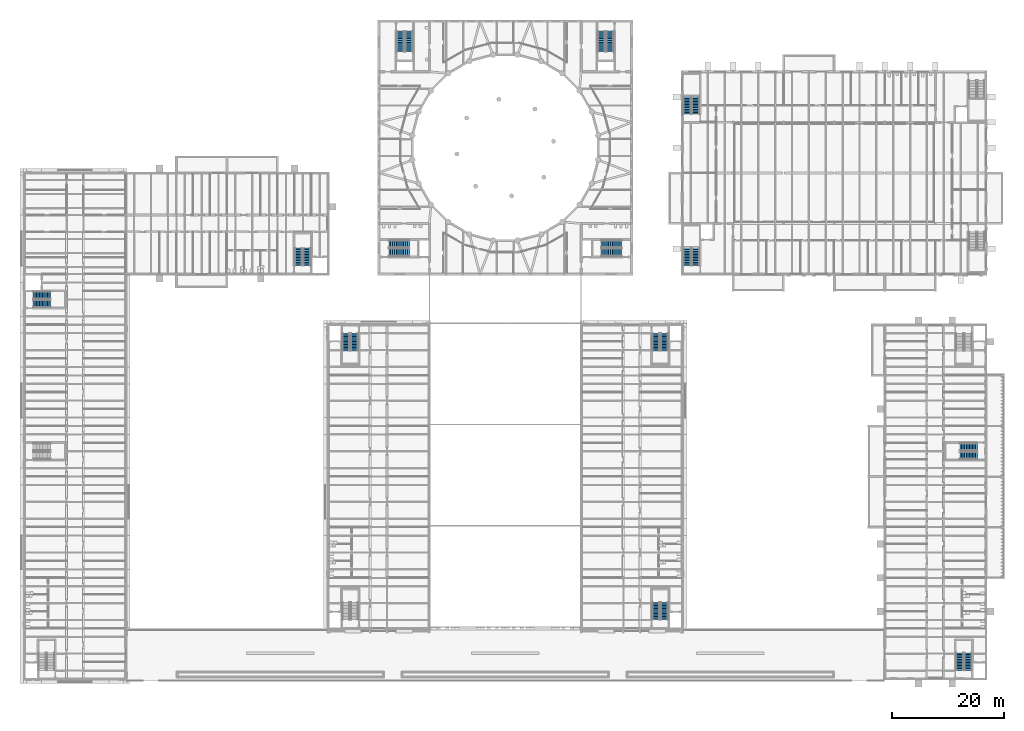
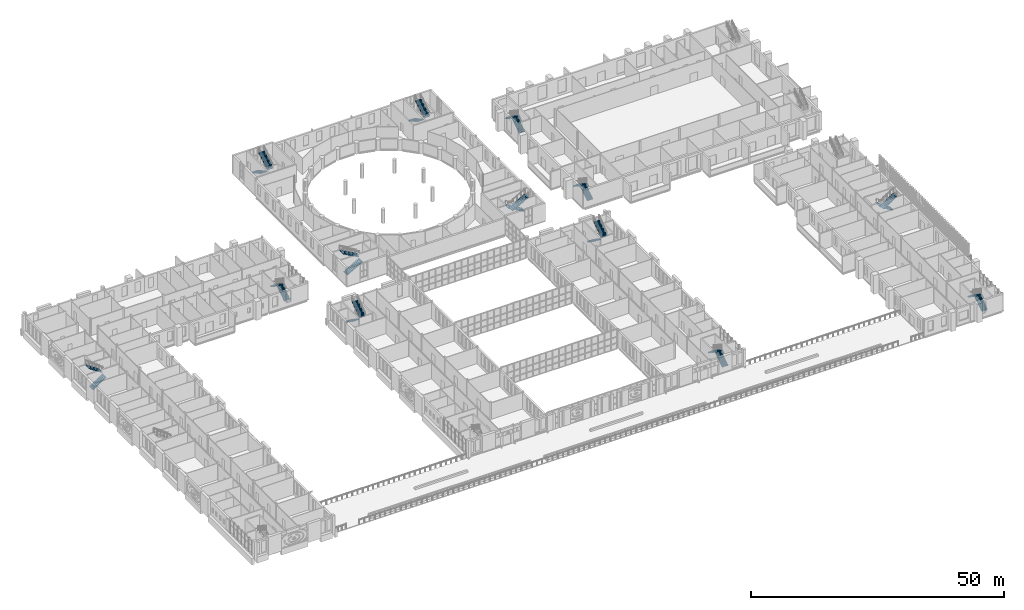
# One storey, part 95 of 134: 26 stair flights, 13 elements without a shape of their own.
"""IFC4 building model written with IfcOpenShell, lengths in metres."""

from ifc_helpers import new_model, si_unit, direction, frame, origin, place, context, subcontext, project, spatial, polyline, outline, extrude, material, type_object, element, aggregate, save


model = new_model("IFC4")

# Units and contexts
model_context = context("Model", 3, precision=1e-05, world=origin(), true_north=direction((0.0, 1.0)))
body_context = subcontext(model_context, "Body", "Model", "MODEL_VIEW")
ifc_project = project(units=[si_unit("LENGTHUNIT", "METRE"), si_unit("AREAUNIT", "SQUARE_METRE"), si_unit("VOLUMEUNIT", "CUBIC_METRE"), si_unit("PLANEANGLEUNIT", "RADIAN"), si_unit("MASSUNIT", "GRAM", prefix="KILO")], contexts=[model_context])

# Site, building, storey
site_placement = place(None, origin())
site = spatial("IfcSite", under=ifc_project, at=site_placement, CompositionType="ELEMENT")
building_placement = place(site_placement, origin())
building = spatial("IfcBuilding", under=site, at=building_placement, Name="Golden Quay Civic Hall", CompositionType="ELEMENT")
storey_placement = place(building_placement, frame((0.0, 0.0, 5.39990234375)))
storey = spatial("IfcBuildingStorey", under=building, at=storey_placement, Name="L01", CompositionType="ELEMENT", Elevation=5.39990234375)

# Stair, stair flights
ifc_material_1 = material(Name="Concrete C40/50", Category="concrete")
stair_type_1 = type_object("IfcStairType", Name="Concrete half-turn stair 24 risers", PredefinedType="HALF_TURN_STAIR", material=ifc_material_1)
stair_1_placement = place(storey_placement, origin())
stair_1 = element("IfcStair", 1, at=stair_1_placement, inside=storey, type_object=stair_type_1, Name="L01 Protected Exit Stair LB-W", PredefinedType="HALF_TURN_STAIR")
ifc_material_2 = material(Name="Concrete C40/50", Category="concrete")
stair_flight_type_1 = type_object("IfcStairFlightType", Name="Concrete stair flight 1350", PredefinedType="STRAIGHT", material=ifc_material_2)
stair_flight_1_placement = place(storey_placement, frame((119.375, 64.550048828125, 0.0), z_axis=(0.0, 0.0, 1.0), x_axis=(0.0, 1.0, 0.0)))
stair_flight_1 = element("IfcStairFlight", 2, at=stair_flight_1_placement, type_object=stair_flight_type_1, Name="LB-STW flight 1", NumberOfRisers=12, NumberOfTreads=11, PredefinedType="STRAIGHT", RiserHeight=0.1875, TreadLength=0.28, context=body_context, shape_type="SweptSolid", body=[
    extrude(outline(polyline([(0.0, 0.0), (0.0, 0.1875), (0.280029296875, 0.1875), (0.280029296875, 0.375), (0.56005859375, 0.375), (0.56005859375, 0.5625), (0.840087890625, 0.5625), (0.840087890625, 0.75), (1.1201171875, 0.75), (1.1201171875, 0.9375), (1.39990234375, 0.9375), (1.39990234375, 1.125), (1.679931640625, 1.125), (1.679931640625, 1.3125), (1.9599609375, 1.3125), (1.9599609375, 1.5), (2.239990234375, 1.5), (2.239990234375, 1.6875), (2.52001953125, 1.6875), (2.52001953125, 1.875), (2.800048828125, 1.875), (2.800048828125, 2.0625), (3.080078125, 2.0625), (3.080078125, 2.25), (3.080078125, 1.882080078125), (0.26953125, 0.0), (0.0, 0.0)])), frame((0.0, 0.675048828125, 0.0), z_axis=(0.0, -1.0, 0.0), x_axis=(1.0, 0.0, 0.0)), (0.0, 0.0, 1.0), 1.35),
])
stair_flight_2_placement = place(storey_placement, frame((117.875, 67.6298828125, 2.25), z_axis=(0.0, 0.0, 1.0), x_axis=(0.0, -1.0, 0.0)))
stair_flight_2 = element("IfcStairFlight", 3, at=stair_flight_2_placement, type_object=stair_flight_type_1, Name="LB-STW flight 2", NumberOfRisers=12, NumberOfTreads=11, PredefinedType="STRAIGHT", RiserHeight=0.1875, TreadLength=0.28, context=body_context, shape_type="SweptSolid", body=[
    extrude(outline(polyline([(0.0, 0.0), (0.0, 0.1875), (0.280029296875, 0.1875), (0.280029296875, 0.375), (0.56005859375, 0.375), (0.56005859375, 0.5625), (0.840087890625, 0.5625), (0.840087890625, 0.75), (1.1201171875, 0.75), (1.1201171875, 0.9375), (1.39990234375, 0.9375), (1.39990234375, 1.125), (1.679931640625, 1.125), (1.679931640625, 1.3125), (1.9599609375, 1.3125), (1.9599609375, 1.5), (2.239990234375, 1.5), (2.239990234375, 1.6875), (2.52001953125, 1.6875), (2.52001953125, 1.875), (2.800048828125, 1.875), (2.800048828125, 2.0625), (3.080078125, 2.0625), (3.080078125, 2.25), (3.080078125, 1.882080078125), (0.26953125, 0.0), (0.0, 0.0)])), frame((0.0, 0.675048828125, 0.0), z_axis=(0.0, -1.0, 0.0), x_axis=(1.0, 0.0, 0.0)), (0.0, 0.0, 1.0), 1.35),
])
aggregate(stair_1, [stair_flight_1, stair_flight_2])

stair_2_placement = place(storey_placement, origin())
stair_2 = element("IfcStair", 4, at=stair_2_placement, inside=storey, type_object=stair_type_1, Name="L01 Protected Exit Stair LB-N", PredefinedType="HALF_TURN_STAIR")
stair_flight_3_placement = place(storey_placement, frame((119.375, 91.47509765625, 0.0), z_axis=(0.0, 0.0, 1.0), x_axis=(0.0, 1.0, 0.0)))
stair_flight_3 = element("IfcStairFlight", 5, at=stair_flight_3_placement, type_object=stair_flight_type_1, Name="LB-STN flight 1", NumberOfRisers=12, NumberOfTreads=11, PredefinedType="STRAIGHT", RiserHeight=0.1875, TreadLength=0.28, context=body_context, shape_type="SweptSolid", body=[
    extrude(outline(polyline([(0.0, 0.0), (0.0, 0.1875), (0.280029296875, 0.1875), (0.280029296875, 0.375), (0.56005859375, 0.375), (0.56005859375, 0.5625), (0.840087890625, 0.5625), (0.840087890625, 0.75), (1.1201171875, 0.75), (1.1201171875, 0.9375), (1.39990234375, 0.9375), (1.39990234375, 1.125), (1.679931640625, 1.125), (1.679931640625, 1.3125), (1.9599609375, 1.3125), (1.9599609375, 1.5), (2.239990234375, 1.5), (2.239990234375, 1.6875), (2.52001953125, 1.6875), (2.52001953125, 1.875), (2.800048828125, 1.875), (2.800048828125, 2.0625), (3.080078125, 2.0625), (3.080078125, 2.25), (3.080078125, 1.882080078125), (0.26953125, 0.0), (0.0, 0.0)])), frame((0.0, 0.675048828125, 0.0), z_axis=(0.0, -1.0, 0.0), x_axis=(1.0, 0.0, 0.0)), (0.0, 0.0, 1.0), 1.35),
])
stair_flight_4_placement = place(storey_placement, frame((117.875, 94.554931640625, 2.25), z_axis=(0.0, 0.0, 1.0), x_axis=(0.0, -1.0, 0.0)))
stair_flight_4 = element("IfcStairFlight", 6, at=stair_flight_4_placement, type_object=stair_flight_type_1, Name="LB-STN flight 2", NumberOfRisers=12, NumberOfTreads=11, PredefinedType="STRAIGHT", RiserHeight=0.1875, TreadLength=0.28, context=body_context, shape_type="SweptSolid", body=[
    extrude(outline(polyline([(0.0, 0.0), (0.0, 0.1875), (0.280029296875, 0.1875), (0.280029296875, 0.375), (0.56005859375, 0.375), (0.56005859375, 0.5625), (0.840087890625, 0.5625), (0.840087890625, 0.75), (1.1201171875, 0.75), (1.1201171875, 0.9375), (1.39990234375, 0.9375), (1.39990234375, 1.125), (1.679931640625, 1.125), (1.679931640625, 1.3125), (1.9599609375, 1.3125), (1.9599609375, 1.5), (2.239990234375, 1.5), (2.239990234375, 1.6875), (2.52001953125, 1.6875), (2.52001953125, 1.875), (2.800048828125, 1.875), (2.800048828125, 2.0625), (3.080078125, 2.0625), (3.080078125, 2.25), (3.080078125, 1.882080078125), (0.26953125, 0.0), (0.0, 0.0)])), frame((0.0, 0.675048828125, 0.0), z_axis=(0.0, -1.0, 0.0), x_axis=(1.0, 0.0, 0.0)), (0.0, 0.0, 1.0), 1.35),
])
aggregate(stair_2, [stair_flight_3, stair_flight_4])

ifc_material_3 = material(Name="Concrete C35/45", Category="concrete")
stair_type_2 = type_object("IfcStairType", Name="Concrete stair 1350 wide 24 risers of 187.5", PredefinedType="HALF_TURN_STAIR", material=ifc_material_3)
stair_3_placement = place(storey_placement, origin())
stair_3 = element("IfcStair", 7, at=stair_3_placement, inside=storey, type_object=stair_type_2, Name="L01 Stair WO-N", PredefinedType="HALF_TURN_STAIR")
ifc_material_4 = material(Name="Concrete C35/45", Category="concrete")
stair_flight_type_2 = type_object("IfcStairFlightType", Name="Concrete stair flight 1350 wide 12 risers of 187.5", PredefinedType="STRAIGHT", material=ifc_material_4)
stair_flight_5_placement = place(storey_placement, frame((1.550048828125, 57.75, 0.0), z_axis=(0.0, 0.0, 1.0), x_axis=(1.0, 0.0, 0.0)))
stair_flight_5 = element("IfcStairFlight", 8, at=stair_flight_5_placement, type_object=stair_flight_type_2, Name="WO-N flight 1", NumberOfRisers=12, NumberOfTreads=11, PredefinedType="STRAIGHT", RiserHeight=0.1875, TreadLength=0.28, context=body_context, shape_type="SweptSolid", body=[
    extrude(outline(polyline([(0.0, 0.0), (0.0, 0.1875), (0.280029296875, 0.1875), (0.280029296875, 0.375), (0.56005859375, 0.375), (0.56005859375, 0.5625), (0.840087890625, 0.5625), (0.840087890625, 0.75), (1.1201171875, 0.75), (1.1201171875, 0.9375), (1.39990234375, 0.9375), (1.39990234375, 1.125), (1.679931640625, 1.125), (1.679931640625, 1.3125), (1.9599609375, 1.3125), (1.9599609375, 1.5), (2.239990234375, 1.5), (2.239990234375, 1.6875), (2.52001953125, 1.6875), (2.52001953125, 1.875), (2.800048828125, 1.875), (2.800048828125, 2.0625), (3.080078125, 2.0625), (3.080078125, 2.25), (3.080078125, 1.882080078125), (0.26953125, 0.0), (0.0, 0.0)])), frame((0.0, 0.675048828125, 0.0), z_axis=(0.0, -1.0, 0.0), x_axis=(1.0, 0.0, 0.0)), (0.0, 0.0, 1.0), 1.35),
])
stair_flight_6_placement = place(storey_placement, frame((4.6298828125, 59.25, 2.25), z_axis=(0.0, 0.0, 1.0), x_axis=(-1.0, 0.0, 0.0)))
stair_flight_6 = element("IfcStairFlight", 9, at=stair_flight_6_placement, type_object=stair_flight_type_2, Name="WO-N flight 2", NumberOfRisers=12, NumberOfTreads=11, PredefinedType="STRAIGHT", RiserHeight=0.1875, TreadLength=0.28, context=body_context, shape_type="SweptSolid", body=[
    extrude(outline(polyline([(0.0, 0.0), (0.0, 0.1875), (0.280029296875, 0.1875), (0.280029296875, 0.375), (0.56005859375, 0.375), (0.56005859375, 0.5625), (0.840087890625, 0.5625), (0.840087890625, 0.75), (1.1201171875, 0.75), (1.1201171875, 0.9375), (1.39990234375, 0.9375), (1.39990234375, 1.125), (1.679931640625, 1.125), (1.679931640625, 1.3125), (1.9599609375, 1.3125), (1.9599609375, 1.5), (2.239990234375, 1.5), (2.239990234375, 1.6875), (2.52001953125, 1.6875), (2.52001953125, 1.875), (2.800048828125, 1.875), (2.800048828125, 2.0625), (3.080078125, 2.0625), (3.080078125, 2.25), (3.080078125, 1.882080078125), (0.26953125, 0.0), (0.0, 0.0)])), frame((0.0, 0.675048828125, 0.0), z_axis=(0.0, -1.0, 0.0), x_axis=(1.0, 0.0, 0.0)), (0.0, 0.0, 1.0), 1.35),
])
aggregate(stair_3, [stair_flight_5, stair_flight_6])

stair_4_placement = place(storey_placement, origin())
stair_4 = element("IfcStair", 10, at=stair_4_placement, inside=storey, type_object=stair_type_2, Name="L01 Stair NW-E", PredefinedType="HALF_TURN_STAIR")
stair_flight_7_placement = place(storey_placement, frame((50.25, 64.550048828125, 0.0), z_axis=(0.0, 0.0, 1.0), x_axis=(0.0, 1.0, 0.0)))
stair_flight_7 = element("IfcStairFlight", 11, at=stair_flight_7_placement, type_object=stair_flight_type_2, Name="NW-E flight 1", NumberOfRisers=12, NumberOfTreads=11, PredefinedType="STRAIGHT", RiserHeight=0.1875, TreadLength=0.28, context=body_context, shape_type="SweptSolid", body=[
    extrude(outline(polyline([(0.0, 0.0), (0.0, 0.1875), (0.280029296875, 0.1875), (0.280029296875, 0.375), (0.56005859375, 0.375), (0.56005859375, 0.5625), (0.840087890625, 0.5625), (0.840087890625, 0.75), (1.1201171875, 0.75), (1.1201171875, 0.9375), (1.39990234375, 0.9375), (1.39990234375, 1.125), (1.679931640625, 1.125), (1.679931640625, 1.3125), (1.9599609375, 1.3125), (1.9599609375, 1.5), (2.239990234375, 1.5), (2.239990234375, 1.6875), (2.52001953125, 1.6875), (2.52001953125, 1.875), (2.800048828125, 1.875), (2.800048828125, 2.0625), (3.080078125, 2.0625), (3.080078125, 2.25), (3.080078125, 1.882080078125), (0.26953125, 0.0), (0.0, 0.0)])), frame((0.0, 0.675048828125, 0.0), z_axis=(0.0, -1.0, 0.0), x_axis=(1.0, 0.0, 0.0)), (0.0, 0.0, 1.0), 1.35),
])
stair_flight_8_placement = place(storey_placement, frame((48.75, 67.6298828125, 2.25), z_axis=(0.0, 0.0, 1.0), x_axis=(0.0, -1.0, 0.0)))
stair_flight_8 = element("IfcStairFlight", 12, at=stair_flight_8_placement, type_object=stair_flight_type_2, Name="NW-E flight 2", NumberOfRisers=12, NumberOfTreads=11, PredefinedType="STRAIGHT", RiserHeight=0.1875, TreadLength=0.28, context=body_context, shape_type="SweptSolid", body=[
    extrude(outline(polyline([(0.0, 0.0), (0.0, 0.1875), (0.280029296875, 0.1875), (0.280029296875, 0.375), (0.56005859375, 0.375), (0.56005859375, 0.5625), (0.840087890625, 0.5625), (0.840087890625, 0.75), (1.1201171875, 0.75), (1.1201171875, 0.9375), (1.39990234375, 0.9375), (1.39990234375, 1.125), (1.679931640625, 1.125), (1.679931640625, 1.3125), (1.9599609375, 1.3125), (1.9599609375, 1.5), (2.239990234375, 1.5), (2.239990234375, 1.6875), (2.52001953125, 1.6875), (2.52001953125, 1.875), (2.800048828125, 1.875), (2.800048828125, 2.0625), (3.080078125, 2.0625), (3.080078125, 2.25), (3.080078125, 1.882080078125), (0.26953125, 0.0), (0.0, 0.0)])), frame((0.0, 0.675048828125, 0.0), z_axis=(0.0, -1.0, 0.0), x_axis=(1.0, 0.0, 0.0)), (0.0, 0.0, 1.0), 1.35),
])
aggregate(stair_4, [stair_flight_7, stair_flight_8])

stair_5_placement = place(storey_placement, origin())
stair_5 = element("IfcStair", 13, at=stair_5_placement, inside=storey, type_object=stair_type_2, Name="L01 Stair WM-N", PredefinedType="HALF_TURN_STAIR")
stair_flight_9_placement = place(storey_placement, frame((57.175048828125, 52.449951171875, 0.0), z_axis=(0.0, 0.0, 1.0), x_axis=(0.0, -1.0, 0.0)))
stair_flight_9 = element("IfcStairFlight", 14, at=stair_flight_9_placement, type_object=stair_flight_type_2, Name="WM-N flight 1", NumberOfRisers=12, NumberOfTreads=11, PredefinedType="STRAIGHT", RiserHeight=0.1875, TreadLength=0.28, context=body_context, shape_type="SweptSolid", body=[
    extrude(outline(polyline([(0.0, 0.0), (0.0, 0.1875), (0.280029296875, 0.1875), (0.280029296875, 0.375), (0.56005859375, 0.375), (0.56005859375, 0.5625), (0.840087890625, 0.5625), (0.840087890625, 0.75), (1.1201171875, 0.75), (1.1201171875, 0.9375), (1.39990234375, 0.9375), (1.39990234375, 1.125), (1.679931640625, 1.125), (1.679931640625, 1.3125), (1.9599609375, 1.3125), (1.9599609375, 1.5), (2.239990234375, 1.5), (2.239990234375, 1.6875), (2.52001953125, 1.6875), (2.52001953125, 1.875), (2.800048828125, 1.875), (2.800048828125, 2.0625), (3.080078125, 2.0625), (3.080078125, 2.25), (3.080078125, 1.882080078125), (0.26953125, 0.0), (0.0, 0.0)])), frame((0.0, 0.675048828125, 0.0), z_axis=(0.0, -1.0, 0.0), x_axis=(1.0, 0.0, 0.0)), (0.0, 0.0, 1.0), 1.35),
])
stair_flight_10_placement = place(storey_placement, frame((58.675048828125, 49.3701171875, 2.25), z_axis=(0.0, 0.0, 1.0), x_axis=(0.0, 1.0, 0.0)))
stair_flight_10 = element("IfcStairFlight", 15, at=stair_flight_10_placement, type_object=stair_flight_type_2, Name="WM-N flight 2", NumberOfRisers=12, NumberOfTreads=11, PredefinedType="STRAIGHT", RiserHeight=0.1875, TreadLength=0.28, context=body_context, shape_type="SweptSolid", body=[
    extrude(outline(polyline([(0.0, 0.0), (0.0, 0.1875), (0.280029296875, 0.1875), (0.280029296875, 0.375), (0.56005859375, 0.375), (0.56005859375, 0.5625), (0.840087890625, 0.5625), (0.840087890625, 0.75), (1.1201171875, 0.75), (1.1201171875, 0.9375), (1.39990234375, 0.9375), (1.39990234375, 1.125), (1.679931640625, 1.125), (1.679931640625, 1.3125), (1.9599609375, 1.3125), (1.9599609375, 1.5), (2.239990234375, 1.5), (2.239990234375, 1.6875), (2.52001953125, 1.6875), (2.52001953125, 1.875), (2.800048828125, 1.875), (2.800048828125, 2.0625), (3.080078125, 2.0625), (3.080078125, 2.25), (3.080078125, 1.882080078125), (0.26953125, 0.0), (0.0, 0.0)])), frame((0.0, 0.675048828125, 0.0), z_axis=(0.0, -1.0, 0.0), x_axis=(1.0, 0.0, 0.0)), (0.0, 0.0, 1.0), 1.35),
])
aggregate(stair_5, [stair_flight_9, stair_flight_10])

stair_6_placement = place(storey_placement, origin())
stair_6 = element("IfcStair", 16, at=stair_6_placement, inside=storey, type_object=stair_type_2, Name="L01 Stair EM-S", PredefinedType="HALF_TURN_STAIR")
stair_flight_11_placement = place(storey_placement, frame((113.824951171875, 1.550048828125, 0.0), z_axis=(0.0, 0.0, 1.0), x_axis=(0.0, 1.0, 0.0)))
stair_flight_11 = element("IfcStairFlight", 17, at=stair_flight_11_placement, type_object=stair_flight_type_2, Name="EM-S flight 1", NumberOfRisers=12, NumberOfTreads=11, PredefinedType="STRAIGHT", RiserHeight=0.1875, TreadLength=0.28, context=body_context, shape_type="SweptSolid", body=[
    extrude(outline(polyline([(0.0, 0.0), (0.0, 0.1875), (0.280029296875, 0.1875), (0.280029296875, 0.375), (0.56005859375, 0.375), (0.56005859375, 0.5625), (0.840087890625, 0.5625), (0.840087890625, 0.75), (1.1201171875, 0.75), (1.1201171875, 0.9375), (1.39990234375, 0.9375), (1.39990234375, 1.125), (1.679931640625, 1.125), (1.679931640625, 1.3125), (1.9599609375, 1.3125), (1.9599609375, 1.5), (2.239990234375, 1.5), (2.239990234375, 1.6875), (2.52001953125, 1.6875), (2.52001953125, 1.875), (2.800048828125, 1.875), (2.800048828125, 2.0625), (3.080078125, 2.0625), (3.080078125, 2.25), (3.080078125, 1.882080078125), (0.26953125, 0.0), (0.0, 0.0)])), frame((0.0, 0.675048828125, 0.0), z_axis=(0.0, -1.0, 0.0), x_axis=(1.0, 0.0, 0.0)), (0.0, 0.0, 1.0), 1.35),
])
stair_flight_12_placement = place(storey_placement, frame((112.324951171875, 4.6298828125, 2.25), z_axis=(0.0, 0.0, 1.0), x_axis=(0.0, -1.0, 0.0)))
stair_flight_12 = element("IfcStairFlight", 18, at=stair_flight_12_placement, type_object=stair_flight_type_2, Name="EM-S flight 2", NumberOfRisers=12, NumberOfTreads=11, PredefinedType="STRAIGHT", RiserHeight=0.1875, TreadLength=0.28, context=body_context, shape_type="SweptSolid", body=[
    extrude(outline(polyline([(0.0, 0.0), (0.0, 0.1875), (0.280029296875, 0.1875), (0.280029296875, 0.375), (0.56005859375, 0.375), (0.56005859375, 0.5625), (0.840087890625, 0.5625), (0.840087890625, 0.75), (1.1201171875, 0.75), (1.1201171875, 0.9375), (1.39990234375, 0.9375), (1.39990234375, 1.125), (1.679931640625, 1.125), (1.679931640625, 1.3125), (1.9599609375, 1.3125), (1.9599609375, 1.5), (2.239990234375, 1.5), (2.239990234375, 1.6875), (2.52001953125, 1.6875), (2.52001953125, 1.875), (2.800048828125, 1.875), (2.800048828125, 2.0625), (3.080078125, 2.0625), (3.080078125, 2.25), (3.080078125, 1.882080078125), (0.26953125, 0.0), (0.0, 0.0)])), frame((0.0, 0.675048828125, 0.0), z_axis=(0.0, -1.0, 0.0), x_axis=(1.0, 0.0, 0.0)), (0.0, 0.0, 1.0), 1.35),
])
aggregate(stair_6, [stair_flight_11, stair_flight_12])

stair_7_placement = place(storey_placement, origin())
stair_7 = element("IfcStair", 19, at=stair_7_placement, inside=storey, type_object=stair_type_2, Name="L01 Stair EM-N", PredefinedType="HALF_TURN_STAIR")
stair_flight_13_placement = place(storey_placement, frame((112.324951171875, 52.449951171875, 0.0), z_axis=(0.0, 0.0, 1.0), x_axis=(0.0, -1.0, 0.0)))
stair_flight_13 = element("IfcStairFlight", 20, at=stair_flight_13_placement, type_object=stair_flight_type_2, Name="EM-N flight 1", NumberOfRisers=12, NumberOfTreads=11, PredefinedType="STRAIGHT", RiserHeight=0.1875, TreadLength=0.28, context=body_context, shape_type="SweptSolid", body=[
    extrude(outline(polyline([(0.0, 0.0), (0.0, 0.1875), (0.280029296875, 0.1875), (0.280029296875, 0.375), (0.56005859375, 0.375), (0.56005859375, 0.5625), (0.840087890625, 0.5625), (0.840087890625, 0.75), (1.1201171875, 0.75), (1.1201171875, 0.9375), (1.39990234375, 0.9375), (1.39990234375, 1.125), (1.679931640625, 1.125), (1.679931640625, 1.3125), (1.9599609375, 1.3125), (1.9599609375, 1.5), (2.239990234375, 1.5), (2.239990234375, 1.6875), (2.52001953125, 1.6875), (2.52001953125, 1.875), (2.800048828125, 1.875), (2.800048828125, 2.0625), (3.080078125, 2.0625), (3.080078125, 2.25), (3.080078125, 1.882080078125), (0.26953125, 0.0), (0.0, 0.0)])), frame((0.0, 0.675048828125, 0.0), z_axis=(0.0, -1.0, 0.0), x_axis=(1.0, 0.0, 0.0)), (0.0, 0.0, 1.0), 1.35),
])
stair_flight_14_placement = place(storey_placement, frame((113.824951171875, 49.3701171875, 2.25), z_axis=(0.0, 0.0, 1.0), x_axis=(0.0, 1.0, 0.0)))
stair_flight_14 = element("IfcStairFlight", 21, at=stair_flight_14_placement, type_object=stair_flight_type_2, Name="EM-N flight 2", NumberOfRisers=12, NumberOfTreads=11, PredefinedType="STRAIGHT", RiserHeight=0.1875, TreadLength=0.28, context=body_context, shape_type="SweptSolid", body=[
    extrude(outline(polyline([(0.0, 0.0), (0.0, 0.1875), (0.280029296875, 0.1875), (0.280029296875, 0.375), (0.56005859375, 0.375), (0.56005859375, 0.5625), (0.840087890625, 0.5625), (0.840087890625, 0.75), (1.1201171875, 0.75), (1.1201171875, 0.9375), (1.39990234375, 0.9375), (1.39990234375, 1.125), (1.679931640625, 1.125), (1.679931640625, 1.3125), (1.9599609375, 1.3125), (1.9599609375, 1.5), (2.239990234375, 1.5), (2.239990234375, 1.6875), (2.52001953125, 1.6875), (2.52001953125, 1.875), (2.800048828125, 1.875), (2.800048828125, 2.0625), (3.080078125, 2.0625), (3.080078125, 2.25), (3.080078125, 1.882080078125), (0.26953125, 0.0), (0.0, 0.0)])), frame((0.0, 0.675048828125, 0.0), z_axis=(0.0, -1.0, 0.0), x_axis=(1.0, 0.0, 0.0)), (0.0, 0.0, 1.0), 1.35),
])
aggregate(stair_7, [stair_flight_13, stair_flight_14])

stair_8_placement = place(storey_placement, origin())
stair_8 = element("IfcStair", 22, at=stair_8_placement, inside=storey, type_object=stair_type_2, Name="L01 Stair EO-S", PredefinedType="HALF_TURN_STAIR")
stair_flight_15_placement = place(storey_placement, frame((167.824951171875, -7.449951171875, 0.0), z_axis=(0.0, 0.0, 1.0), x_axis=(0.0, 1.0, 0.0)))
stair_flight_15 = element("IfcStairFlight", 23, at=stair_flight_15_placement, type_object=stair_flight_type_2, Name="EO-S flight 1", NumberOfRisers=12, NumberOfTreads=11, PredefinedType="STRAIGHT", RiserHeight=0.1875, TreadLength=0.28, context=body_context, shape_type="SweptSolid", body=[
    extrude(outline(polyline([(0.0, 0.0), (0.0, 0.1875), (0.280029296875, 0.1875), (0.280029296875, 0.375), (0.56005859375, 0.375), (0.56005859375, 0.5625), (0.840087890625, 0.5625), (0.840087890625, 0.75), (1.1201171875, 0.75), (1.1201171875, 0.9375), (1.39990234375, 0.9375), (1.39990234375, 1.125), (1.679931640625, 1.125), (1.679931640625, 1.3125), (1.9599609375, 1.3125), (1.9599609375, 1.5), (2.239990234375, 1.5), (2.239990234375, 1.6875), (2.52001953125, 1.6875), (2.52001953125, 1.875), (2.800048828125, 1.875), (2.800048828125, 2.0625), (3.080078125, 2.0625), (3.080078125, 2.25), (3.080078125, 1.882080078125), (0.26953125, 0.0), (0.0, 0.0)])), frame((0.0, 0.675048828125, 0.0), z_axis=(0.0, -1.0, 0.0), x_axis=(1.0, 0.0, 0.0)), (0.0, 0.0, 1.0), 1.35),
])
stair_flight_16_placement = place(storey_placement, frame((166.324951171875, -4.3701171875, 2.25), z_axis=(0.0, 0.0, 1.0), x_axis=(0.0, -1.0, 0.0)))
stair_flight_16 = element("IfcStairFlight", 24, at=stair_flight_16_placement, type_object=stair_flight_type_2, Name="EO-S flight 2", NumberOfRisers=12, NumberOfTreads=11, PredefinedType="STRAIGHT", RiserHeight=0.1875, TreadLength=0.28, context=body_context, shape_type="SweptSolid", body=[
    extrude(outline(polyline([(0.0, 0.0), (0.0, 0.1875), (0.280029296875, 0.1875), (0.280029296875, 0.375), (0.56005859375, 0.375), (0.56005859375, 0.5625), (0.840087890625, 0.5625), (0.840087890625, 0.75), (1.1201171875, 0.75), (1.1201171875, 0.9375), (1.39990234375, 0.9375), (1.39990234375, 1.125), (1.679931640625, 1.125), (1.679931640625, 1.3125), (1.9599609375, 1.3125), (1.9599609375, 1.5), (2.239990234375, 1.5), (2.239990234375, 1.6875), (2.52001953125, 1.6875), (2.52001953125, 1.875), (2.800048828125, 1.875), (2.800048828125, 2.0625), (3.080078125, 2.0625), (3.080078125, 2.25), (3.080078125, 1.882080078125), (0.26953125, 0.0), (0.0, 0.0)])), frame((0.0, 0.675048828125, 0.0), z_axis=(0.0, -1.0, 0.0), x_axis=(1.0, 0.0, 0.0)), (0.0, 0.0, 1.0), 1.35),
])
aggregate(stair_8, [stair_flight_15, stair_flight_16])

stair_9_placement = place(storey_placement, origin())
stair_9 = element("IfcStair", 25, at=stair_9_placement, inside=storey, type_object=stair_type_2, Name="L01 Stair EO-M", PredefinedType="HALF_TURN_STAIR")
stair_flight_17_placement = place(storey_placement, frame((169.449951171875, 32.25, 0.0), z_axis=(0.0, 0.0, 1.0), x_axis=(-1.0, 0.0, 0.0)))
stair_flight_17 = element("IfcStairFlight", 26, at=stair_flight_17_placement, type_object=stair_flight_type_2, Name="EO-M flight 1", NumberOfRisers=12, NumberOfTreads=11, PredefinedType="STRAIGHT", RiserHeight=0.1875, TreadLength=0.28, context=body_context, shape_type="SweptSolid", body=[
    extrude(outline(polyline([(0.0, 0.0), (0.0, 0.1875), (0.280029296875, 0.1875), (0.280029296875, 0.375), (0.56005859375, 0.375), (0.56005859375, 0.5625), (0.840087890625, 0.5625), (0.840087890625, 0.75), (1.1201171875, 0.75), (1.1201171875, 0.9375), (1.39990234375, 0.9375), (1.39990234375, 1.125), (1.679931640625, 1.125), (1.679931640625, 1.3125), (1.9599609375, 1.3125), (1.9599609375, 1.5), (2.239990234375, 1.5), (2.239990234375, 1.6875), (2.52001953125, 1.6875), (2.52001953125, 1.875), (2.800048828125, 1.875), (2.800048828125, 2.0625), (3.080078125, 2.0625), (3.080078125, 2.25), (3.080078125, 1.882080078125), (0.26953125, 0.0), (0.0, 0.0)])), frame((0.0, 0.675048828125, 0.0), z_axis=(0.0, -1.0, 0.0), x_axis=(1.0, 0.0, 0.0)), (0.0, 0.0, 1.0), 1.35),
])
stair_flight_18_placement = place(storey_placement, frame((166.3701171875, 30.75, 2.25), z_axis=(0.0, 0.0, 1.0), x_axis=(1.0, 0.0, 0.0)))
stair_flight_18 = element("IfcStairFlight", 27, at=stair_flight_18_placement, type_object=stair_flight_type_2, Name="EO-M flight 2", NumberOfRisers=12, NumberOfTreads=11, PredefinedType="STRAIGHT", RiserHeight=0.1875, TreadLength=0.28, context=body_context, shape_type="SweptSolid", body=[
    extrude(outline(polyline([(0.0, 0.0), (0.0, 0.1875), (0.280029296875, 0.1875), (0.280029296875, 0.375), (0.56005859375, 0.375), (0.56005859375, 0.5625), (0.840087890625, 0.5625), (0.840087890625, 0.75), (1.1201171875, 0.75), (1.1201171875, 0.9375), (1.39990234375, 0.9375), (1.39990234375, 1.125), (1.679931640625, 1.125), (1.679931640625, 1.3125), (1.9599609375, 1.3125), (1.9599609375, 1.5), (2.239990234375, 1.5), (2.239990234375, 1.6875), (2.52001953125, 1.6875), (2.52001953125, 1.875), (2.800048828125, 1.875), (2.800048828125, 2.0625), (3.080078125, 2.0625), (3.080078125, 2.25), (3.080078125, 1.882080078125), (0.26953125, 0.0), (0.0, 0.0)])), frame((0.0, 0.675048828125, 0.0), z_axis=(0.0, -1.0, 0.0), x_axis=(1.0, 0.0, 0.0)), (0.0, 0.0, 1.0), 1.35),
])
aggregate(stair_9, [stair_flight_17, stair_flight_18])

ifc_material_5 = material(Name="Concrete C35/45", Category="concrete")
stair_type_3 = type_object("IfcStairType", Name="Reinforced concrete stair 1350", PredefinedType="HALF_TURN_STAIR", material=ifc_material_5)
stair_10_placement = place(storey_placement, origin())
stair_10 = element("IfcStair", 28, at=stair_10_placement, inside=storey, type_object=stair_type_3, Name="L01 Core stair SW", PredefinedType="HALF_TURN_STAIR")
ifc_material_6 = material(Name="Concrete C35/45", Category="concrete")
stair_flight_type_3 = type_object("IfcStairFlightType", Name="Reinforced concrete stair flight 1350", PredefinedType="STRAIGHT", material=ifc_material_6)
stair_flight_19_placement = place(storey_placement, frame((64.800048828125, 66.875, 0.0), z_axis=(0.0, 0.0, 1.0), x_axis=(1.0, 0.0, 0.0)))
stair_flight_19 = element("IfcStairFlight", 29, at=stair_flight_19_placement, type_object=stair_flight_type_3, Name="CB-SW flight 1", NumberOfRisers=12, NumberOfTreads=11, PredefinedType="STRAIGHT", RiserHeight=0.1875, TreadLength=0.33, context=body_context, shape_type="SweptSolid", body=[
    extrude(outline(polyline([(0.0, 0.0), (0.0, 0.1875), (0.330078125, 0.1875), (0.330078125, 0.375), (0.659912109375, 0.375), (0.659912109375, 0.5625), (0.989990234375, 0.5625), (0.989990234375, 0.75), (1.320068359375, 0.75), (1.320068359375, 0.9375), (1.64990234375, 0.9375), (1.64990234375, 1.125), (1.97998046875, 1.125), (1.97998046875, 1.3125), (2.31005859375, 1.3125), (2.31005859375, 1.5), (2.639892578125, 1.5), (2.639892578125, 1.6875), (2.969970703125, 1.6875), (2.969970703125, 1.875), (3.300048828125, 1.875), (3.300048828125, 2.0625), (3.6298828125, 2.0625), (3.6298828125, 2.25), (3.6298828125, 1.89013671875), (0.303466796875, 0.0), (0.0, 0.0)])), frame((0.0, 0.675048828125, 0.0), z_axis=(0.0, -1.0, 0.0), x_axis=(1.0, 0.0, 0.0)), (0.0, 0.0, 1.0), 1.35),
])
stair_flight_20_placement = place(storey_placement, frame((68.429931640625, 68.375, 2.25), z_axis=(0.0, 0.0, 1.0), x_axis=(-1.0, 0.0, 0.0)))
stair_flight_20 = element("IfcStairFlight", 30, at=stair_flight_20_placement, type_object=stair_flight_type_3, Name="CB-SW flight 2", NumberOfRisers=12, NumberOfTreads=11, PredefinedType="STRAIGHT", RiserHeight=0.1875, TreadLength=0.33, context=body_context, shape_type="SweptSolid", body=[
    extrude(outline(polyline([(0.0, 0.0), (0.0, 0.1875), (0.330078125, 0.1875), (0.330078125, 0.375), (0.659912109375, 0.375), (0.659912109375, 0.5625), (0.989990234375, 0.5625), (0.989990234375, 0.75), (1.320068359375, 0.75), (1.320068359375, 0.9375), (1.64990234375, 0.9375), (1.64990234375, 1.125), (1.97998046875, 1.125), (1.97998046875, 1.3125), (2.31005859375, 1.3125), (2.31005859375, 1.5), (2.639892578125, 1.5), (2.639892578125, 1.6875), (2.969970703125, 1.6875), (2.969970703125, 1.875), (3.300048828125, 1.875), (3.300048828125, 2.0625), (3.6298828125, 2.0625), (3.6298828125, 2.25), (3.6298828125, 1.89013671875), (0.303466796875, 0.0), (0.0, 0.0)])), frame((0.0, 0.675048828125, 0.0), z_axis=(0.0, -1.0, 0.0), x_axis=(1.0, 0.0, 0.0)), (0.0, 0.0, 1.0), 1.35),
])
aggregate(stair_10, [stair_flight_19, stair_flight_20])

stair_11_placement = place(storey_placement, origin())
stair_11 = element("IfcStair", 31, at=stair_11_placement, inside=storey, type_object=stair_type_3, Name="L01 Core stair SE", PredefinedType="HALF_TURN_STAIR")
stair_flight_21_placement = place(storey_placement, frame((106.199951171875, 68.375, 0.0), z_axis=(0.0, 0.0, 1.0), x_axis=(-1.0, 0.0, 0.0)))
stair_flight_21 = element("IfcStairFlight", 32, at=stair_flight_21_placement, type_object=stair_flight_type_3, Name="CB-SE flight 1", NumberOfRisers=12, NumberOfTreads=11, PredefinedType="STRAIGHT", RiserHeight=0.1875, TreadLength=0.33, context=body_context, shape_type="SweptSolid", body=[
    extrude(outline(polyline([(0.0, 0.0), (0.0, 0.1875), (0.330078125, 0.1875), (0.330078125, 0.375), (0.659912109375, 0.375), (0.659912109375, 0.5625), (0.989990234375, 0.5625), (0.989990234375, 0.75), (1.320068359375, 0.75), (1.320068359375, 0.9375), (1.64990234375, 0.9375), (1.64990234375, 1.125), (1.97998046875, 1.125), (1.97998046875, 1.3125), (2.31005859375, 1.3125), (2.31005859375, 1.5), (2.639892578125, 1.5), (2.639892578125, 1.6875), (2.969970703125, 1.6875), (2.969970703125, 1.875), (3.300048828125, 1.875), (3.300048828125, 2.0625), (3.6298828125, 2.0625), (3.6298828125, 2.25), (3.6298828125, 1.89013671875), (0.303466796875, 0.0), (0.0, 0.0)])), frame((0.0, 0.675048828125, 0.0), z_axis=(0.0, -1.0, 0.0), x_axis=(1.0, 0.0, 0.0)), (0.0, 0.0, 1.0), 1.35),
])
stair_flight_22_placement = place(storey_placement, frame((102.570068359375, 66.875, 2.25), z_axis=(0.0, 0.0, 1.0), x_axis=(1.0, 0.0, 0.0)))
stair_flight_22 = element("IfcStairFlight", 33, at=stair_flight_22_placement, type_object=stair_flight_type_3, Name="CB-SE flight 2", NumberOfRisers=12, NumberOfTreads=11, PredefinedType="STRAIGHT", RiserHeight=0.1875, TreadLength=0.33, context=body_context, shape_type="SweptSolid", body=[
    extrude(outline(polyline([(0.0, 0.0), (0.0, 0.1875), (0.330078125, 0.1875), (0.330078125, 0.375), (0.659912109375, 0.375), (0.659912109375, 0.5625), (0.989990234375, 0.5625), (0.989990234375, 0.75), (1.320068359375, 0.75), (1.320068359375, 0.9375), (1.64990234375, 0.9375), (1.64990234375, 1.125), (1.97998046875, 1.125), (1.97998046875, 1.3125), (2.31005859375, 1.3125), (2.31005859375, 1.5), (2.639892578125, 1.5), (2.639892578125, 1.6875), (2.969970703125, 1.6875), (2.969970703125, 1.875), (3.300048828125, 1.875), (3.300048828125, 2.0625), (3.6298828125, 2.0625), (3.6298828125, 2.25), (3.6298828125, 1.89013671875), (0.303466796875, 0.0), (0.0, 0.0)])), frame((0.0, 0.675048828125, 0.0), z_axis=(0.0, -1.0, 0.0), x_axis=(1.0, 0.0, 0.0)), (0.0, 0.0, 1.0), 1.35),
])
aggregate(stair_11, [stair_flight_21, stair_flight_22])

stair_12_placement = place(storey_placement, origin())
stair_12 = element("IfcStair", 34, at=stair_12_placement, inside=storey, type_object=stair_type_3, Name="L01 Core stair NW", PredefinedType="HALF_TURN_STAIR")
stair_flight_23_placement = place(storey_placement, frame((66.875, 106.199951171875, 0.0), z_axis=(0.0, 0.0, 1.0), x_axis=(0.0, -1.0, 0.0)))
stair_flight_23 = element("IfcStairFlight", 35, at=stair_flight_23_placement, type_object=stair_flight_type_3, Name="CB-NW flight 1", NumberOfRisers=12, NumberOfTreads=11, PredefinedType="STRAIGHT", RiserHeight=0.1875, TreadLength=0.33, context=body_context, shape_type="SweptSolid", body=[
    extrude(outline(polyline([(0.0, 0.0), (0.0, 0.1875), (0.330078125, 0.1875), (0.330078125, 0.375), (0.659912109375, 0.375), (0.659912109375, 0.5625), (0.989990234375, 0.5625), (0.989990234375, 0.75), (1.320068359375, 0.75), (1.320068359375, 0.9375), (1.64990234375, 0.9375), (1.64990234375, 1.125), (1.97998046875, 1.125), (1.97998046875, 1.3125), (2.31005859375, 1.3125), (2.31005859375, 1.5), (2.639892578125, 1.5), (2.639892578125, 1.6875), (2.969970703125, 1.6875), (2.969970703125, 1.875), (3.300048828125, 1.875), (3.300048828125, 2.0625), (3.6298828125, 2.0625), (3.6298828125, 2.25), (3.6298828125, 1.89013671875), (0.303466796875, 0.0), (0.0, 0.0)])), frame((0.0, 0.675048828125, 0.0), z_axis=(0.0, -1.0, 0.0), x_axis=(1.0, 0.0, 0.0)), (0.0, 0.0, 1.0), 1.35),
])
stair_flight_24_placement = place(storey_placement, frame((68.375, 102.570068359375, 2.25), z_axis=(0.0, 0.0, 1.0), x_axis=(0.0, 1.0, 0.0)))
stair_flight_24 = element("IfcStairFlight", 36, at=stair_flight_24_placement, type_object=stair_flight_type_3, Name="CB-NW flight 2", NumberOfRisers=12, NumberOfTreads=11, PredefinedType="STRAIGHT", RiserHeight=0.1875, TreadLength=0.33, context=body_context, shape_type="SweptSolid", body=[
    extrude(outline(polyline([(0.0, 0.0), (0.0, 0.1875), (0.330078125, 0.1875), (0.330078125, 0.375), (0.659912109375, 0.375), (0.659912109375, 0.5625), (0.989990234375, 0.5625), (0.989990234375, 0.75), (1.320068359375, 0.75), (1.320068359375, 0.9375), (1.64990234375, 0.9375), (1.64990234375, 1.125), (1.97998046875, 1.125), (1.97998046875, 1.3125), (2.31005859375, 1.3125), (2.31005859375, 1.5), (2.639892578125, 1.5), (2.639892578125, 1.6875), (2.969970703125, 1.6875), (2.969970703125, 1.875), (3.300048828125, 1.875), (3.300048828125, 2.0625), (3.6298828125, 2.0625), (3.6298828125, 2.25), (3.6298828125, 1.89013671875), (0.303466796875, 0.0), (0.0, 0.0)])), frame((0.0, 0.675048828125, 0.0), z_axis=(0.0, -1.0, 0.0), x_axis=(1.0, 0.0, 0.0)), (0.0, 0.0, 1.0), 1.35),
])
aggregate(stair_12, [stair_flight_23, stair_flight_24])

stair_13_placement = place(storey_placement, origin())
stair_13 = element("IfcStair", 37, at=stair_13_placement, inside=storey, type_object=stair_type_3, Name="L01 Core stair NE", PredefinedType="HALF_TURN_STAIR")
stair_flight_25_placement = place(storey_placement, frame((102.625, 106.199951171875, 0.0), z_axis=(0.0, 0.0, 1.0), x_axis=(0.0, -1.0, 0.0)))
stair_flight_25 = element("IfcStairFlight", 38, at=stair_flight_25_placement, type_object=stair_flight_type_3, Name="CB-NE flight 1", NumberOfRisers=12, NumberOfTreads=11, PredefinedType="STRAIGHT", RiserHeight=0.1875, TreadLength=0.33, context=body_context, shape_type="SweptSolid", body=[
    extrude(outline(polyline([(0.0, 0.0), (0.0, 0.1875), (0.330078125, 0.1875), (0.330078125, 0.375), (0.659912109375, 0.375), (0.659912109375, 0.5625), (0.989990234375, 0.5625), (0.989990234375, 0.75), (1.320068359375, 0.75), (1.320068359375, 0.9375), (1.64990234375, 0.9375), (1.64990234375, 1.125), (1.97998046875, 1.125), (1.97998046875, 1.3125), (2.31005859375, 1.3125), (2.31005859375, 1.5), (2.639892578125, 1.5), (2.639892578125, 1.6875), (2.969970703125, 1.6875), (2.969970703125, 1.875), (3.300048828125, 1.875), (3.300048828125, 2.0625), (3.6298828125, 2.0625), (3.6298828125, 2.25), (3.6298828125, 1.89013671875), (0.303466796875, 0.0), (0.0, 0.0)])), frame((0.0, 0.675048828125, 0.0), z_axis=(0.0, -1.0, 0.0), x_axis=(1.0, 0.0, 0.0)), (0.0, 0.0, 1.0), 1.35),
])
stair_flight_26_placement = place(storey_placement, frame((104.125, 102.570068359375, 2.25), z_axis=(0.0, 0.0, 1.0), x_axis=(0.0, 1.0, 0.0)))
stair_flight_26 = element("IfcStairFlight", 39, at=stair_flight_26_placement, type_object=stair_flight_type_3, Name="CB-NE flight 2", NumberOfRisers=12, NumberOfTreads=11, PredefinedType="STRAIGHT", RiserHeight=0.1875, TreadLength=0.33, context=body_context, shape_type="SweptSolid", body=[
    extrude(outline(polyline([(0.0, 0.0), (0.0, 0.1875), (0.330078125, 0.1875), (0.330078125, 0.375), (0.659912109375, 0.375), (0.659912109375, 0.5625), (0.989990234375, 0.5625), (0.989990234375, 0.75), (1.320068359375, 0.75), (1.320068359375, 0.9375), (1.64990234375, 0.9375), (1.64990234375, 1.125), (1.97998046875, 1.125), (1.97998046875, 1.3125), (2.31005859375, 1.3125), (2.31005859375, 1.5), (2.639892578125, 1.5), (2.639892578125, 1.6875), (2.969970703125, 1.6875), (2.969970703125, 1.875), (3.300048828125, 1.875), (3.300048828125, 2.0625), (3.6298828125, 2.0625), (3.6298828125, 2.25), (3.6298828125, 1.89013671875), (0.303466796875, 0.0), (0.0, 0.0)])), frame((0.0, 0.675048828125, 0.0), z_axis=(0.0, -1.0, 0.0), x_axis=(1.0, 0.0, 0.0)), (0.0, 0.0, 1.0), 1.35),
])
aggregate(stair_13, [stair_flight_25, stair_flight_26])

save(model, "model.ifc")
